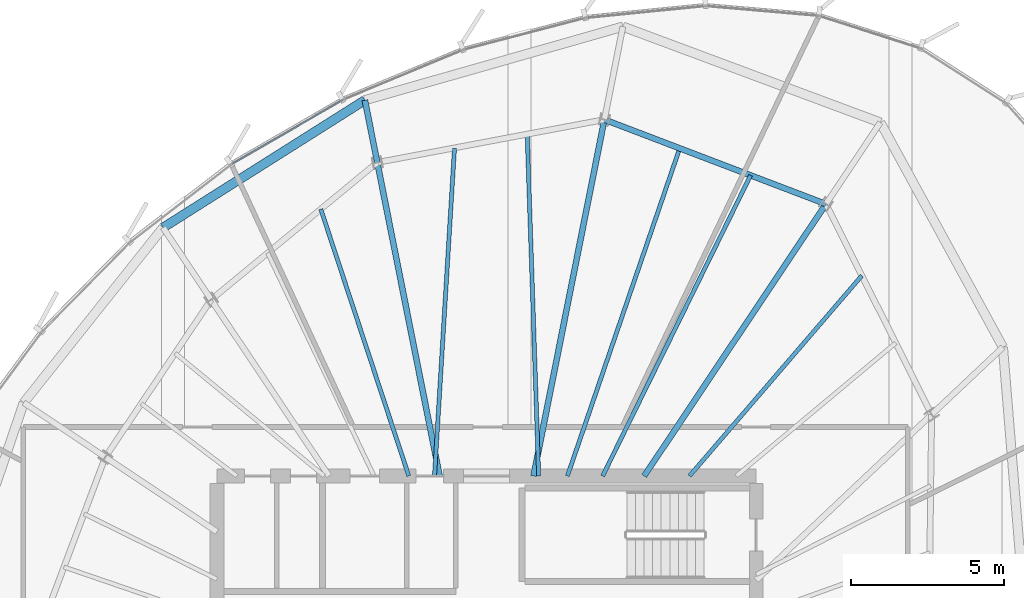
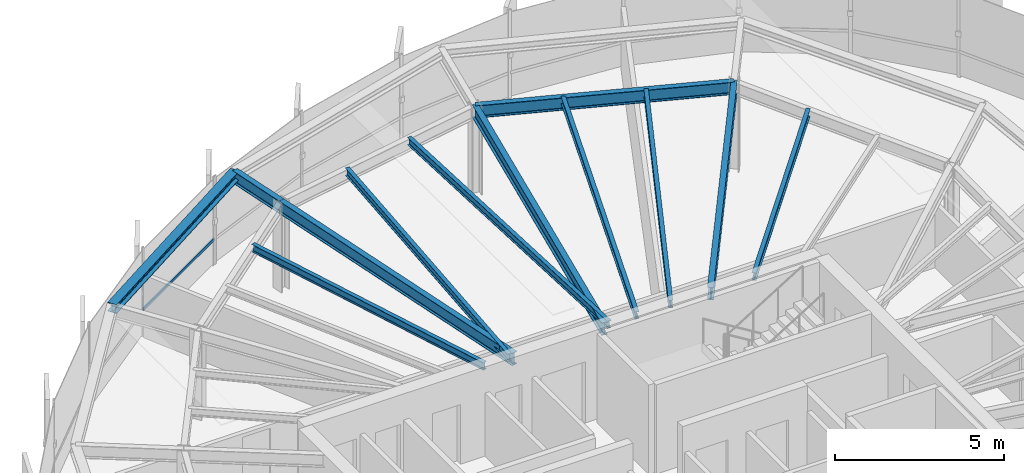
# One storey, part 20 of 33: 12 beams, 1 member, 1 element without a shape of its own.
"""IFC4 building model written with IfcOpenShell, lengths in metres."""

from ifc_helpers import new_model, si_unit, direction, frame, origin, origin_2d, place, context, subcontext, project, spatial, hollow_rectangle, i_section, extrude, source, transform, mapped, material, layer, layer_set, material_profile, profile_set, type_object, element, aggregate, save


model = new_model("IFC4")

# Units and contexts
model_context = context("Model", 3, precision=1e-05, world=origin(), true_north=direction((0.0, 1.0)))
body_context = subcontext(model_context, "Body", "Model", "MODEL_VIEW")
ifc_project = project(units=[si_unit("LENGTHUNIT", "METRE"), si_unit("AREAUNIT", "SQUARE_METRE"), si_unit("VOLUMEUNIT", "CUBIC_METRE"), si_unit("PLANEANGLEUNIT", "RADIAN"), si_unit("MASSUNIT", "GRAM", prefix="KILO"), si_unit("THERMODYNAMICTEMPERATUREUNIT", "KELVIN")], contexts=[model_context])

# Site, building, storey
site_placement = place(None, origin())
site = spatial("IfcSite", under=ifc_project, at=site_placement, CompositionType="ELEMENT")
building_placement = place(site_placement, origin())
building = spatial("IfcBuilding", under=site, at=building_placement, Name="Kethvar Cultural Tower", CompositionType="ELEMENT")
storey_placement = place(building_placement, frame((0.0, 0.0, 235.300048828125)))
storey = spatial("IfcBuildingStorey", under=building, at=storey_placement, Name="L61", CompositionType="ELEMENT", Elevation=235.300048828125)

# Beams
ifc_material_1 = material(Name="Steel S355J2", Category="steel")
ifc_material_profile_1 = material_profile(ifc_material_1, i_section(OverallWidth=0.18994140625, OverallDepth=0.449951171875, WebThickness=0.009521484375, FlangeThickness=0.0146484375, FilletRadius=0.02099609375, at=origin_2d()), Name="Steel S355J2 — IPE450")
ifc_profile_set_1 = profile_set([ifc_material_profile_1], Name="Steel S355J2 — IPE450")
beam_type_1 = type_object("IfcBeamType", Name="BM-IPE450", PredefinedType="BEAM", material=ifc_profile_set_1)
shared_shape_1 = source(origin(), body_context, "Body", "SweptSolid", [
    extrude(i_section(OverallWidth=0.18994140625, OverallDepth=0.449951171875, WebThickness=0.009521484375, FlangeThickness=0.0146484375, FilletRadius=0.02099609375, at=origin_2d()), origin(), (0.0, 0.0, 1.0), 10.673828125),
])
beam_1_placement = place(storey_placement, frame((51.945068359375, 35.5, 2.98291015625), z_axis=(0.555576086183, 0.831465701314, 0.0), x_axis=(-0.831465701314, 0.555576086183, 0.0)))
element("IfcBeam", 1, at=beam_1_placement, inside=storey, type_object=beam_type_1, Name="L61 Primary Radial Beam RB-03", PredefinedType="BEAM", context=body_context, shape_type="MappedRepresentation", body=[
    mapped(shared_shape_1, transform((0.0, 0.0, 0.0), scale=1.0)),
])
shared_shape_2 = source(origin(), body_context, "Body", "SweptSolid", [
    extrude(i_section(OverallWidth=0.18994140625, OverallDepth=0.449951171875, WebThickness=0.009521484375, FlangeThickness=0.0146484375, FilletRadius=0.02099609375, at=origin_2d()), origin(), (0.0, 0.0, 1.0), 11.859375),
])
beam_2_placement = place(storey_placement, frame((48.33154296875, 35.5, 2.98291015625), z_axis=(0.195094640585, 0.980784421377, 0.0), x_axis=(-0.980784421377, 0.195094640585, 0.0)))
element("IfcBeam", 2, at=beam_2_placement, inside=storey, type_object=beam_type_1, Name="L61 Primary Radial Beam RB-04", PredefinedType="BEAM", context=body_context, shape_type="MappedRepresentation", body=[
    mapped(shared_shape_2, transform((0.0, 0.0, 0.0), scale=1.0)),
])
shared_shape_3 = source(origin(), body_context, "Body", "SweptSolid", [
    extrude(i_section(OverallWidth=0.18994140625, OverallDepth=0.449951171875, WebThickness=0.009521484375, FlangeThickness=0.0146484375, FilletRadius=0.02099609375, at=origin_2d()), origin(), (0.0, 0.0, 1.0), 10.432861328125),
])
beam_3_placement = place(storey_placement, frame((45.268310546875, 35.5, 2.98291015625), z_axis=(-0.195094483249, 0.980784452673, 0.0), x_axis=(-0.980784452673, -0.195094483249, 0.0)))
element("IfcBeam", 3, at=beam_3_placement, inside=storey, type_object=beam_type_1, Name="L61 Primary Radial Beam RB-05", PredefinedType="BEAM", context=body_context, shape_type="MappedRepresentation", body=[
    mapped(shared_shape_3, transform((0.0, 0.0, 0.0), scale=1.0)),
])
ifc_material_profile_2 = material_profile(ifc_material_1, i_section(OverallWidth=0.135009765625, OverallDepth=0.27001953125, WebThickness=0.006591796875, FlangeThickness=0.01025390625, FilletRadius=0.014892578125, at=origin_2d()), Name="Steel S355J2 — IPE270")
ifc_profile_set_2 = profile_set([ifc_material_profile_2], Name="Steel S355J2 — IPE270")
beam_type_2 = type_object("IfcBeamType", Name="BM-J270", PredefinedType="JOIST", material=ifc_profile_set_2)
shared_shape_4 = source(origin(), body_context, "Body", "SweptSolid", [
    extrude(i_section(OverallWidth=0.135009765625, OverallDepth=0.27001953125, WebThickness=0.006591796875, FlangeThickness=0.01025390625, FilletRadius=0.014892578125, at=origin_2d()), origin(), (0.0, 0.0, 1.0), 8.6259765625),
])
beam_4_placement = place(storey_placement, frame((53.42333984375, 35.5, 3.072998046875), z_axis=(0.65210499689, 0.758128665222, 0.0), x_axis=(-0.758128665222, 0.65210499689, 0.0)))
element("IfcBeam", 4, at=beam_4_placement, inside=storey, type_object=beam_type_2, Name="L61 Composite Floor Joist J-02B", PredefinedType="JOIST", context=body_context, shape_type="MappedRepresentation", body=[
    mapped(shared_shape_4, transform((0.0, 0.0, 0.0), scale=1.0)),
])
shared_shape_5 = source(origin(), body_context, "Body", "SweptSolid", [
    extrude(i_section(OverallWidth=0.18994140625, OverallDepth=0.449951171875, WebThickness=0.009521484375, FlangeThickness=0.0146484375, FilletRadius=0.02099609375, at=origin_2d()), origin(), (0.0, 0.0, 1.0), 7.737548828125),
])
beam_5_placement = place(storey_placement, frame((57.875244140625, 44.375, 2.98291015625), z_axis=(-0.934388230776, 0.356256416347, 0.0), x_axis=(-0.356256416347, -0.934388230776, 0.0)))
element("IfcBeam", 5, at=beam_5_placement, inside=storey, type_object=beam_type_1, Name="L61 Column Ring Tie Beam CR-03", PredefinedType="BEAM", context=body_context, shape_type="MappedRepresentation", body=[
    mapped(shared_shape_5, transform((0.0, 0.0, 0.0), scale=1.0)),
])
shared_shape_6 = source(origin(), body_context, "Body", "SweptSolid", [
    extrude(i_section(OverallWidth=0.135009765625, OverallDepth=0.27001953125, WebThickness=0.006591796875, FlangeThickness=0.01025390625, FilletRadius=0.014892578125, at=origin_2d()), origin(), (0.0, 0.0, 1.0), 10.935791015625),
])
beam_6_placement = place(storey_placement, frame((50.5888671875, 35.5, 3.072998046875), z_axis=(0.441498236677, 0.897262117227, 0.0), x_axis=(-0.897262117227, 0.441498236677, 0.0)))
element("IfcBeam", 6, at=beam_6_placement, inside=storey, type_object=beam_type_2, Name="L61 Composite Floor Joist J-03A", PredefinedType="JOIST", context=body_context, shape_type="MappedRepresentation", body=[
    mapped(shared_shape_6, transform((0.0, 0.0, 0.0), scale=1.0)),
])
shared_shape_7 = source(origin(), body_context, "Body", "SweptSolid", [
    extrude(i_section(OverallWidth=0.135009765625, OverallDepth=0.27001953125, WebThickness=0.006591796875, FlangeThickness=0.01025390625, FilletRadius=0.014892578125, at=origin_2d()), origin(), (0.0, 0.0, 1.0), 11.304931640625),
])
beam_7_placement = place(storey_placement, frame((49.438720703125, 35.5, 3.072998046875), z_axis=(0.324179110764, 0.945995720997, 0.0), x_axis=(-0.945995720997, 0.324179110764, 0.0)))
element("IfcBeam", 7, at=beam_7_placement, inside=storey, type_object=beam_type_2, Name="L61 Composite Floor Joist J-03B", PredefinedType="JOIST", context=body_context, shape_type="MappedRepresentation", body=[
    mapped(shared_shape_7, transform((0.0, 0.0, 0.0), scale=1.0)),
])
shared_shape_8 = source(origin(), body_context, "Body", "SweptSolid", [
    extrude(i_section(OverallWidth=0.135009765625, OverallDepth=0.27001953125, WebThickness=0.006591796875, FlangeThickness=0.01025390625, FilletRadius=0.014892578125, at=origin_2d()), origin(), (0.0, 0.0, 1.0), 11.162109375),
])
beam_8_placement = place(storey_placement, frame((48.5, 35.5, 3.072998046875), z_axis=(-0.0335959409, 0.999435497046, 0.0), x_axis=(-0.999435497046, -0.0335959409, 0.0)))
element("IfcBeam", 8, at=beam_8_placement, inside=storey, type_object=beam_type_2, Name="L61 Composite Floor Joist J-04A", PredefinedType="JOIST", context=body_context, shape_type="MappedRepresentation", body=[
    mapped(shared_shape_8, transform((0.0, 0.0, 0.0), scale=1.0)),
])
shared_shape_9 = source(origin(), body_context, "Body", "SweptSolid", [
    extrude(i_section(OverallWidth=0.135009765625, OverallDepth=0.27001953125, WebThickness=0.006591796875, FlangeThickness=0.01025390625, FilletRadius=0.014892578125, at=origin_2d()), origin(), (0.0, 0.0, 1.0), 10.727783203125),
])
beam_9_placement = place(storey_placement, frame((45.10009765625, 35.5, 3.072998046875), z_axis=(0.060876395586, 0.998145312297, 0.0), x_axis=(-0.998145312297, 0.060876395586, 0.0)))
element("IfcBeam", 9, at=beam_9_placement, inside=storey, type_object=beam_type_2, Name="L61 Composite Floor Joist J-04B", PredefinedType="JOIST", context=body_context, shape_type="MappedRepresentation", body=[
    mapped(shared_shape_9, transform((0.0, 0.0, 0.0), scale=1.0)),
])
shared_shape_10 = source(origin(), body_context, "Body", "SweptSolid", [
    extrude(i_section(OverallWidth=0.135009765625, OverallDepth=0.27001953125, WebThickness=0.006591796875, FlangeThickness=0.01025390625, FilletRadius=0.014892578125, at=origin_2d()), origin(), (0.0, 0.0, 1.0), 9.17138671875),
])
beam_10_placement = place(storey_placement, frame((44.260986328125, 35.5, 3.072998046875), z_axis=(-0.313151555446, 0.949703165901, 0.0), x_axis=(-0.949703165901, -0.313151555446, 0.0)))
element("IfcBeam", 10, at=beam_10_placement, inside=storey, type_object=beam_type_2, Name="L61 Composite Floor Joist J-05A", PredefinedType="JOIST", context=body_context, shape_type="MappedRepresentation", body=[
    mapped(shared_shape_10, transform((0.0, 0.0, 0.0), scale=1.0)),
])
shared_shape_11 = source(origin(), body_context, "Body", "SweptSolid", [
    extrude(i_section(OverallWidth=0.18994140625, OverallDepth=0.449951171875, WebThickness=0.009521484375, FlangeThickness=0.0146484375, FilletRadius=0.02099609375, at=origin_2d()), origin(), (0.0, 0.0, 1.0), 2.07373046875),
])
beam_11_placement = place(storey_placement, frame((43.23291015625, 45.732421875, 2.98291015625), z_axis=(-0.195074588309, 0.980788409901, 0.0), x_axis=(-0.980788409901, -0.195074588309, 0.0)))
element("IfcBeam", 11, at=beam_11_placement, inside=storey, type_object=beam_type_1, Name="L61 Perimeter Cantilever Beam RC-05", PredefinedType="BEAM", context=body_context, shape_type="MappedRepresentation", body=[
    mapped(shared_shape_11, transform((0.0, 0.0, 0.0), scale=1.0)),
])
ifc_material_profile_3 = material_profile(ifc_material_1, i_section(OverallWidth=0.300048828125, OverallDepth=0.320068359375, WebThickness=0.011474609375, FlangeThickness=0.0205078125, FilletRadius=0.027099609375, at=origin_2d()), Name="Steel S355J2 — HEB320")
ifc_profile_set_3 = profile_set([ifc_material_profile_3], Name="Steel S355J2 — HEB320")
beam_type_3 = type_object("IfcBeamType", Name="BM-SP320", PredefinedType="SPANDREL", material=ifc_profile_set_3)
shared_shape_12 = source(origin(), body_context, "Body", "SweptSolid", [
    extrude(i_section(OverallWidth=0.300048828125, OverallDepth=0.320068359375, WebThickness=0.011474609375, FlangeThickness=0.0205078125, FilletRadius=0.027099609375, at=origin_2d()), origin(), (0.0, 0.0, 1.0), 7.79296875),
])
beam_12_placement = place(storey_placement, frame((42.828369140625, 47.766357421875, 3.0478515625), z_axis=(-0.845452423941, -0.534050745578, 0.0), x_axis=(0.534050745578, -0.845452423941, 0.0)))
element("IfcBeam", 12, at=beam_12_placement, inside=storey, type_object=beam_type_3, Name="L61 Perimeter Spandrel Beam SP-05", PredefinedType="SPANDREL", context=body_context, shape_type="MappedRepresentation", body=[
    mapped(shared_shape_12, transform((0.0, 0.0, 0.0), scale=1.0)),
])

# Curtain wall, member
ifc_material_2 = material(Name="Aluminium 6063-T6", Category="aluminium")
ifc_layer = layer(ifc_material_2, 0.179931640625, Name="Aluminium 6063-T6", Category="aluminium")
ifc_layer_set = layer_set([ifc_layer], Name="Aluminium 6063-T6 (180 mm)")
curtain_wall_type = type_object("IfcCurtainWallType", Name="CW-SYS-05-Z56", PredefinedType="NOTDEFINED", material=ifc_layer_set)
curtain_wall_placement = place(storey_placement, origin())
curtain_wall = element("IfcCurtainWall", 13, at=curtain_wall_placement, inside=storey, type_object=curtain_wall_type, Name="L61 Curtain Wall Run 02", PredefinedType="NOTDEFINED")
ifc_material_profile_4 = material_profile(ifc_material_2, hollow_rectangle(XDim=0.050048828125, YDim=0.10009765625, WallThickness=0.00390625, at=origin_2d()), Name="Aluminium 6063-T6 — RHS100x50x4")
ifc_profile_set_4 = profile_set([ifc_material_profile_4], Name="Aluminium 6063-T6 — RHS100x50x4")
member_type = type_object("IfcMemberType", Name="CW-SYS-05-Z56-TRN", PredefinedType="USERDEFINED", material=ifc_profile_set_4)
shared_shape_13 = source(origin(), body_context, "Body", "SweptSolid", [
    extrude(hollow_rectangle(XDim=0.050048828125, YDim=0.10009765625, WallThickness=0.00390625, at=origin_2d()), origin(), (0.0, 0.0, 1.0), 4.16552734375),
])
member_placement = place(storey_placement, frame((42.10009765625, 47.76806640625, 0.949951171875), z_axis=(-0.865656253167, -0.500638843233, 0.0), x_axis=(0.500638843233, -0.865656253167, 0.0)))
member = element("IfcMember", 14, at=member_placement, type_object=member_type, Name="CW-L61-R02 Transom 1", ObjectType="TRANSOM", PredefinedType="USERDEFINED", context=body_context, shape_type="MappedRepresentation", body=[
    mapped(shared_shape_13, transform((0.0, 0.0, 0.0), scale=1.0)),
])
aggregate(curtain_wall, [member])

save(model, "model.ifc")
